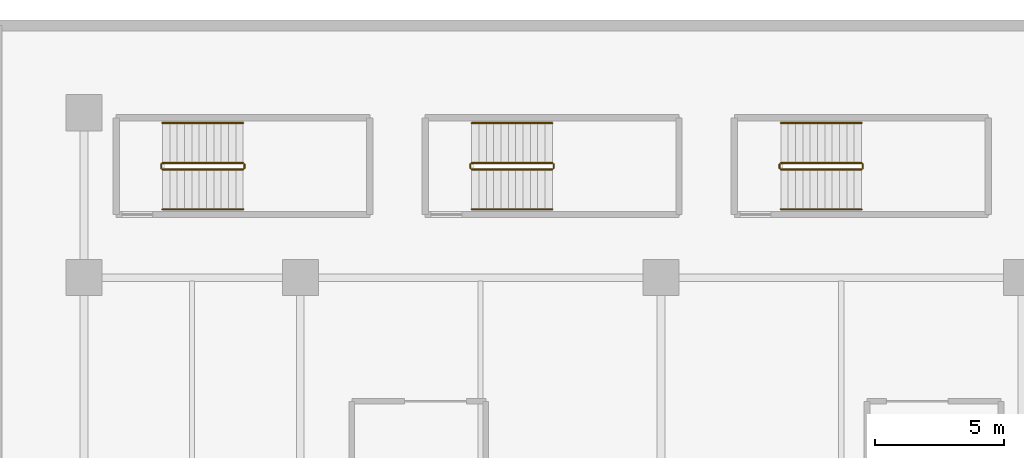
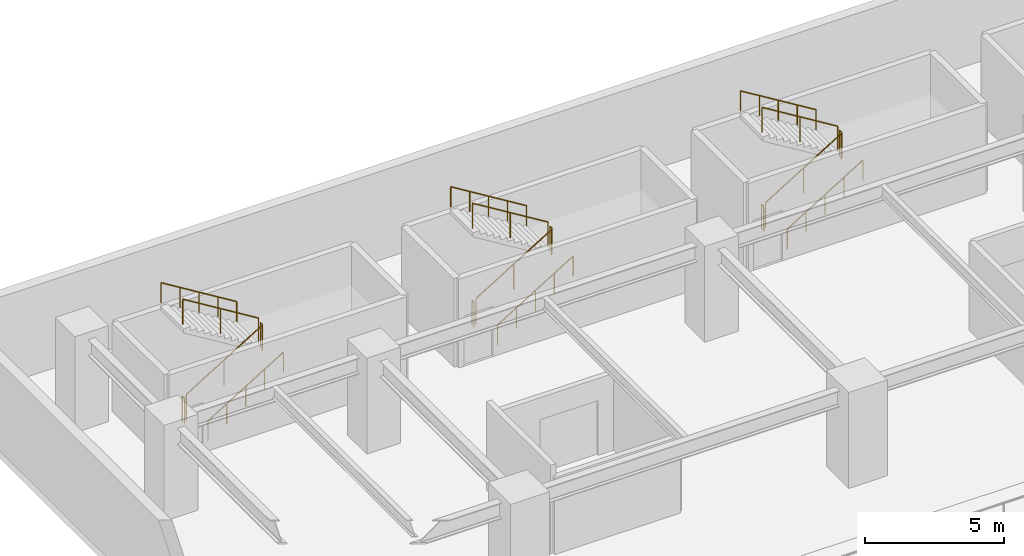
# One storey, part 21 of 22: 18 railings.
"""IFC4 building model written with IfcOpenShell, lengths in metres."""

from ifc_helpers import new_model, si_unit, direction, frame, origin, origin_2d, place, context, subcontext, project, spatial, circle, extrude, material, type_object, element, save


model = new_model("IFC4")

# Units and contexts
model_context = context("Model", 3, precision=1e-05, world=origin(), true_north=direction((0.0, 1.0)))
body_context = subcontext(model_context, "Body", "Model", "MODEL_VIEW")
ifc_project = project(units=[si_unit("LENGTHUNIT", "METRE"), si_unit("AREAUNIT", "SQUARE_METRE"), si_unit("VOLUMEUNIT", "CUBIC_METRE"), si_unit("PLANEANGLEUNIT", "RADIAN"), si_unit("MASSUNIT", "GRAM", prefix="KILO")], contexts=[model_context])

# Site, building, storey
site_placement = place(None, origin())
site = spatial("IfcSite", under=ifc_project, at=site_placement, CompositionType="ELEMENT")
building_placement = place(site_placement, origin())
building = spatial("IfcBuilding", under=site, at=building_placement, Name="Narakoshi Arena Tower", CompositionType="ELEMENT")
storey_placement = place(building_placement, frame((0.0, 0.0, 13.199951171875)))
storey = spatial("IfcBuildingStorey", under=building, at=storey_placement, Name="L03", CompositionType="ELEMENT", Elevation=13.199951171875)

# Railings
ifc_material_1 = material(Name="Clear low-iron laminated structural glass", Category="glass")
railing_type_1 = type_object("IfcRailingType", Name="RL-BAL-1100", PredefinedType="BALUSTRADE", material=ifc_material_1)
railing_1_placement = place(storey_placement, frame((6.64990234375, 90.199951171875, 0.175048828125)))
element("IfcRailing", 1, at=railing_1_placement, inside=storey, type_object=railing_type_1, Name="L03 AST5 stair guard 1", PredefinedType="BALUSTRADE", context=body_context, shape_type="SweptSolid", body=[
    extrude(circle(Radius=0.02392578125, at=origin_2d()), frame((0.0, 0.0, 1.09619140625), z_axis=(0.852166034122, 0.0, 0.523271488128), x_axis=(0.0, 1.0, 0.0)), (0.0, 0.0, 1.0), 3.678955078125),
    extrude(circle(Radius=0.02099609375, at=origin_2d()), origin(), (0.0, 0.0, 1.0), 1.072021484375),
    extrude(circle(Radius=0.02099609375, at=origin_2d()), frame((1.5673828125, 0.0, 0.96240234375)), (0.0, 0.0, 1.0), 1.072021484375),
    extrude(circle(Radius=0.02099609375, at=origin_2d()), frame((3.135009765625, 0.0, 1.925048828125)), (0.0, 0.0, 1.0), 1.072021484375),
])
railing_2_placement = place(storey_placement, frame((9.8349609375, 90.25, 2.10009765625)))
element("IfcRailing", 2, at=railing_2_placement, inside=storey, type_object=railing_type_1, Name="L03 AST5 stair guard 2", PredefinedType="BALUSTRADE", context=body_context, shape_type="SweptSolid", body=[
    extrude(circle(Radius=0.02392578125, at=origin_2d()), frame((0.0, 0.0, 1.09619140625), z_axis=(0.0, 1.0, 0.0), x_axis=(-1.0, 0.0, 0.0)), (0.0, 0.0, 1.0), 0.14990234375),
    extrude(circle(Radius=0.02099609375, at=origin_2d()), origin(), (0.0, 0.0, 1.0), 1.072021484375),
    extrude(circle(Radius=0.02099609375, at=origin_2d()), frame((0.0, 0.14990234375, 0.0)), (0.0, 0.0, 1.0), 1.072021484375),
])
railing_3_placement = place(storey_placement, frame((9.784912109375, 90.449951171875, 2.275146484375)))
element("IfcRailing", 3, at=railing_3_placement, inside=storey, type_object=railing_type_1, Name="L03 AST5 stair guard 3", PredefinedType="BALUSTRADE", context=body_context, shape_type="SweptSolid", body=[
    extrude(circle(Radius=0.02392578125, at=origin_2d()), frame((0.0, 0.0, 1.09619140625), z_axis=(-0.852195625947, 0.0, 0.523223293744), x_axis=(0.0, -1.0, 0.0)), (0.0, 0.0, 1.0), 3.6787109375),
    extrude(circle(Radius=0.02099609375, at=origin_2d()), origin(), (0.0, 0.0, 1.0), 1.072021484375),
    extrude(circle(Radius=0.02099609375, at=origin_2d()), frame((-1.5673828125, 0.0, 0.96240234375)), (0.0, 0.0, 1.0), 1.072021484375),
    extrude(circle(Radius=0.02099609375, at=origin_2d()), frame((-3.135009765625, 0.0, 1.9248046875)), (0.0, 0.0, 1.0), 1.072021484375),
])
railing_4_placement = place(storey_placement, frame((6.60009765625, 90.25, 0.0)))
element("IfcRailing", 4, at=railing_4_placement, inside=storey, type_object=railing_type_1, Name="L03 AST5 stair guard 4", PredefinedType="BALUSTRADE", context=body_context, shape_type="SweptSolid", body=[
    extrude(circle(Radius=0.02392578125, at=origin_2d()), frame((0.0, 0.0, 1.09619140625), z_axis=(0.0, 1.0, 0.0), x_axis=(-1.0, 0.0, 0.0)), (0.0, 0.0, 1.0), 0.14990234375),
    extrude(circle(Radius=0.02099609375, at=origin_2d()), origin(), (0.0, 0.0, 1.0), 1.072021484375),
    extrude(circle(Radius=0.02099609375, at=origin_2d()), frame((0.0, 0.14990234375, 0.0)), (0.0, 0.0, 1.0), 1.072021484375),
])
railing_5_placement = place(storey_placement, frame((18.64990234375, 90.199951171875, 0.175048828125)))
element("IfcRailing", 5, at=railing_5_placement, inside=storey, type_object=railing_type_1, Name="L03 AST6 stair guard 1", PredefinedType="BALUSTRADE", context=body_context, shape_type="SweptSolid", body=[
    extrude(circle(Radius=0.02392578125, at=origin_2d()), frame((0.0, 0.0, 1.09619140625), z_axis=(0.852166034122, 0.0, 0.523271488128), x_axis=(0.0, 1.0, 0.0)), (0.0, 0.0, 1.0), 3.678955078125),
    extrude(circle(Radius=0.02099609375, at=origin_2d()), origin(), (0.0, 0.0, 1.0), 1.072021484375),
    extrude(circle(Radius=0.02099609375, at=origin_2d()), frame((1.5673828125, 0.0, 0.96240234375)), (0.0, 0.0, 1.0), 1.072021484375),
    extrude(circle(Radius=0.02099609375, at=origin_2d()), frame((3.135009765625, 0.0, 1.925048828125)), (0.0, 0.0, 1.0), 1.072021484375),
])
railing_6_placement = place(storey_placement, frame((21.8349609375, 90.25, 2.10009765625)))
element("IfcRailing", 6, at=railing_6_placement, inside=storey, type_object=railing_type_1, Name="L03 AST6 stair guard 2", PredefinedType="BALUSTRADE", context=body_context, shape_type="SweptSolid", body=[
    extrude(circle(Radius=0.02392578125, at=origin_2d()), frame((0.0, 0.0, 1.09619140625), z_axis=(0.0, 1.0, 0.0), x_axis=(-1.0, 0.0, 0.0)), (0.0, 0.0, 1.0), 0.14990234375),
    extrude(circle(Radius=0.02099609375, at=origin_2d()), origin(), (0.0, 0.0, 1.0), 1.072021484375),
    extrude(circle(Radius=0.02099609375, at=origin_2d()), frame((0.0, 0.14990234375, 0.0)), (0.0, 0.0, 1.0), 1.072021484375),
])
railing_7_placement = place(storey_placement, frame((21.784912109375, 90.449951171875, 2.275146484375)))
element("IfcRailing", 7, at=railing_7_placement, inside=storey, type_object=railing_type_1, Name="L03 AST6 stair guard 3", PredefinedType="BALUSTRADE", context=body_context, shape_type="SweptSolid", body=[
    extrude(circle(Radius=0.02392578125, at=origin_2d()), frame((0.0, 0.0, 1.09619140625), z_axis=(-0.852195625947, 0.0, 0.523223293744), x_axis=(0.0, -1.0, 0.0)), (0.0, 0.0, 1.0), 3.6787109375),
    extrude(circle(Radius=0.02099609375, at=origin_2d()), origin(), (0.0, 0.0, 1.0), 1.072021484375),
    extrude(circle(Radius=0.02099609375, at=origin_2d()), frame((-1.5673828125, 0.0, 0.96240234375)), (0.0, 0.0, 1.0), 1.072021484375),
    extrude(circle(Radius=0.02099609375, at=origin_2d()), frame((-3.135009765625, 0.0, 1.9248046875)), (0.0, 0.0, 1.0), 1.072021484375),
])
railing_8_placement = place(storey_placement, frame((18.60009765625, 90.25, 0.0)))
element("IfcRailing", 8, at=railing_8_placement, inside=storey, type_object=railing_type_1, Name="L03 AST6 stair guard 4", PredefinedType="BALUSTRADE", context=body_context, shape_type="SweptSolid", body=[
    extrude(circle(Radius=0.02392578125, at=origin_2d()), frame((0.0, 0.0, 1.09619140625), z_axis=(0.0, 1.0, 0.0), x_axis=(-1.0, 0.0, 0.0)), (0.0, 0.0, 1.0), 0.14990234375),
    extrude(circle(Radius=0.02099609375, at=origin_2d()), origin(), (0.0, 0.0, 1.0), 1.072021484375),
    extrude(circle(Radius=0.02099609375, at=origin_2d()), frame((0.0, 0.14990234375, 0.0)), (0.0, 0.0, 1.0), 1.072021484375),
])
railing_9_placement = place(storey_placement, frame((30.64990234375, 90.199951171875, 0.175048828125)))
element("IfcRailing", 9, at=railing_9_placement, inside=storey, type_object=railing_type_1, Name="L03 AST7 stair guard 1", PredefinedType="BALUSTRADE", context=body_context, shape_type="SweptSolid", body=[
    extrude(circle(Radius=0.02392578125, at=origin_2d()), frame((0.0, 0.0, 1.09619140625), z_axis=(0.852166034122, 0.0, 0.523271488128), x_axis=(0.0, 1.0, 0.0)), (0.0, 0.0, 1.0), 3.678955078125),
    extrude(circle(Radius=0.02099609375, at=origin_2d()), origin(), (0.0, 0.0, 1.0), 1.072021484375),
    extrude(circle(Radius=0.02099609375, at=origin_2d()), frame((1.5673828125, 0.0, 0.96240234375)), (0.0, 0.0, 1.0), 1.072021484375),
    extrude(circle(Radius=0.02099609375, at=origin_2d()), frame((3.135009765625, 0.0, 1.925048828125)), (0.0, 0.0, 1.0), 1.072021484375),
])
railing_10_placement = place(storey_placement, frame((33.8349609375, 90.25, 2.10009765625)))
element("IfcRailing", 10, at=railing_10_placement, inside=storey, type_object=railing_type_1, Name="L03 AST7 stair guard 2", PredefinedType="BALUSTRADE", context=body_context, shape_type="SweptSolid", body=[
    extrude(circle(Radius=0.02392578125, at=origin_2d()), frame((0.0, 0.0, 1.09619140625), z_axis=(0.0, 1.0, 0.0), x_axis=(-1.0, 0.0, 0.0)), (0.0, 0.0, 1.0), 0.14990234375),
    extrude(circle(Radius=0.02099609375, at=origin_2d()), origin(), (0.0, 0.0, 1.0), 1.072021484375),
    extrude(circle(Radius=0.02099609375, at=origin_2d()), frame((0.0, 0.14990234375, 0.0)), (0.0, 0.0, 1.0), 1.072021484375),
])
railing_11_placement = place(storey_placement, frame((33.784912109375, 90.449951171875, 2.275146484375)))
element("IfcRailing", 11, at=railing_11_placement, inside=storey, type_object=railing_type_1, Name="L03 AST7 stair guard 3", PredefinedType="BALUSTRADE", context=body_context, shape_type="SweptSolid", body=[
    extrude(circle(Radius=0.02392578125, at=origin_2d()), frame((0.0, 0.0, 1.09619140625), z_axis=(-0.852195625947, 0.0, 0.523223293744), x_axis=(0.0, -1.0, 0.0)), (0.0, 0.0, 1.0), 3.6787109375),
    extrude(circle(Radius=0.02099609375, at=origin_2d()), origin(), (0.0, 0.0, 1.0), 1.072021484375),
    extrude(circle(Radius=0.02099609375, at=origin_2d()), frame((-1.5673828125, 0.0, 0.96240234375)), (0.0, 0.0, 1.0), 1.072021484375),
    extrude(circle(Radius=0.02099609375, at=origin_2d()), frame((-3.135009765625, 0.0, 1.9248046875)), (0.0, 0.0, 1.0), 1.072021484375),
])
railing_12_placement = place(storey_placement, frame((30.60009765625, 90.25, 0.0)))
element("IfcRailing", 12, at=railing_12_placement, inside=storey, type_object=railing_type_1, Name="L03 AST7 stair guard 4", PredefinedType="BALUSTRADE", context=body_context, shape_type="SweptSolid", body=[
    extrude(circle(Radius=0.02392578125, at=origin_2d()), frame((0.0, 0.0, 1.09619140625), z_axis=(0.0, 1.0, 0.0), x_axis=(-1.0, 0.0, 0.0)), (0.0, 0.0, 1.0), 0.14990234375),
    extrude(circle(Radius=0.02099609375, at=origin_2d()), origin(), (0.0, 0.0, 1.0), 1.072021484375),
    extrude(circle(Radius=0.02099609375, at=origin_2d()), frame((0.0, 0.14990234375, 0.0)), (0.0, 0.0, 1.0), 1.072021484375),
])
ifc_material_2 = material(Name="Brushed bronze stainless steel", Category="steel")
railing_type_2 = type_object("IfcRailingType", Name="RL-HND-900", PredefinedType="HANDRAIL", material=ifc_material_2)
railing_13_placement = place(storey_placement, frame((6.64990234375, 88.64990234375, 0.175048828125)))
element("IfcRailing", 13, at=railing_13_placement, inside=storey, type_object=railing_type_2, Name="L03 AST5 stair handrail 1", PredefinedType="HANDRAIL", context=body_context, shape_type="SweptSolid", body=[
    extrude(circle(Radius=0.02392578125, at=origin_2d()), frame((0.0, 0.0, 0.8759765625), z_axis=(0.852166034122, 0.0, 0.523271488128), x_axis=(0.0, 1.0, 0.0)), (0.0, 0.0, 1.0), 3.678955078125),
    extrude(circle(Radius=0.02099609375, at=origin_2d()), origin(), (0.0, 0.0, 1.0), 0.851806640625),
    extrude(circle(Radius=0.02099609375, at=origin_2d()), frame((0.78369140625, 0.0, 0.481201171875)), (0.0, 0.0, 1.0), 0.851806640625),
    extrude(circle(Radius=0.02099609375, at=origin_2d()), frame((1.5673828125, 0.0, 0.96240234375)), (0.0, 0.0, 1.0), 0.851806640625),
    extrude(circle(Radius=0.02099609375, at=origin_2d()), frame((2.351318359375, 0.0, 1.44384765625)), (0.0, 0.0, 1.0), 0.851806640625),
    extrude(circle(Radius=0.02099609375, at=origin_2d()), frame((3.135009765625, 0.0, 1.925048828125)), (0.0, 0.0, 1.0), 0.851806640625),
])
railing_14_placement = place(storey_placement, frame((9.784912109375, 92.0, 2.275146484375)))
element("IfcRailing", 14, at=railing_14_placement, inside=storey, type_object=railing_type_2, Name="L03 AST5 stair handrail 2", PredefinedType="HANDRAIL", context=body_context, shape_type="SweptSolid", body=[
    extrude(circle(Radius=0.02392578125, at=origin_2d()), frame((0.0, 0.0, 0.8759765625), z_axis=(-0.852195625947, 0.0, 0.523223293744), x_axis=(0.0, -1.0, 0.0)), (0.0, 0.0, 1.0), 3.6787109375),
    extrude(circle(Radius=0.02099609375, at=origin_2d()), origin(), (0.0, 0.0, 1.0), 0.851806640625),
    extrude(circle(Radius=0.02099609375, at=origin_2d()), frame((-0.78369140625, 0.0, 0.481201171875)), (0.0, 0.0, 1.0), 0.851806640625),
    extrude(circle(Radius=0.02099609375, at=origin_2d()), frame((-1.5673828125, 0.0, 0.96240234375)), (0.0, 0.0, 1.0), 0.851806640625),
    extrude(circle(Radius=0.02099609375, at=origin_2d()), frame((-2.351318359375, 0.0, 1.443603515625)), (0.0, 0.0, 1.0), 0.851806640625),
    extrude(circle(Radius=0.02099609375, at=origin_2d()), frame((-3.135009765625, 0.0, 1.9248046875)), (0.0, 0.0, 1.0), 0.851806640625),
])
railing_15_placement = place(storey_placement, frame((18.64990234375, 88.64990234375, 0.175048828125)))
element("IfcRailing", 15, at=railing_15_placement, inside=storey, type_object=railing_type_2, Name="L03 AST6 stair handrail 1", PredefinedType="HANDRAIL", context=body_context, shape_type="SweptSolid", body=[
    extrude(circle(Radius=0.02392578125, at=origin_2d()), frame((0.0, 0.0, 0.8759765625), z_axis=(0.852166034122, 0.0, 0.523271488128), x_axis=(0.0, 1.0, 0.0)), (0.0, 0.0, 1.0), 3.678955078125),
    extrude(circle(Radius=0.02099609375, at=origin_2d()), origin(), (0.0, 0.0, 1.0), 0.851806640625),
    extrude(circle(Radius=0.02099609375, at=origin_2d()), frame((0.78369140625, 0.0, 0.481201171875)), (0.0, 0.0, 1.0), 0.851806640625),
    extrude(circle(Radius=0.02099609375, at=origin_2d()), frame((1.5673828125, 0.0, 0.96240234375)), (0.0, 0.0, 1.0), 0.851806640625),
    extrude(circle(Radius=0.02099609375, at=origin_2d()), frame((2.351318359375, 0.0, 1.44384765625)), (0.0, 0.0, 1.0), 0.851806640625),
    extrude(circle(Radius=0.02099609375, at=origin_2d()), frame((3.135009765625, 0.0, 1.925048828125)), (0.0, 0.0, 1.0), 0.851806640625),
])
railing_16_placement = place(storey_placement, frame((21.784912109375, 92.0, 2.275146484375)))
element("IfcRailing", 16, at=railing_16_placement, inside=storey, type_object=railing_type_2, Name="L03 AST6 stair handrail 2", PredefinedType="HANDRAIL", context=body_context, shape_type="SweptSolid", body=[
    extrude(circle(Radius=0.02392578125, at=origin_2d()), frame((0.0, 0.0, 0.8759765625), z_axis=(-0.852195625947, 0.0, 0.523223293744), x_axis=(0.0, -1.0, 0.0)), (0.0, 0.0, 1.0), 3.6787109375),
    extrude(circle(Radius=0.02099609375, at=origin_2d()), origin(), (0.0, 0.0, 1.0), 0.851806640625),
    extrude(circle(Radius=0.02099609375, at=origin_2d()), frame((-0.78369140625, 0.0, 0.481201171875)), (0.0, 0.0, 1.0), 0.851806640625),
    extrude(circle(Radius=0.02099609375, at=origin_2d()), frame((-1.5673828125, 0.0, 0.96240234375)), (0.0, 0.0, 1.0), 0.851806640625),
    extrude(circle(Radius=0.02099609375, at=origin_2d()), frame((-2.351318359375, 0.0, 1.443603515625)), (0.0, 0.0, 1.0), 0.851806640625),
    extrude(circle(Radius=0.02099609375, at=origin_2d()), frame((-3.135009765625, 0.0, 1.9248046875)), (0.0, 0.0, 1.0), 0.851806640625),
])
railing_17_placement = place(storey_placement, frame((30.64990234375, 88.64990234375, 0.175048828125)))
element("IfcRailing", 17, at=railing_17_placement, inside=storey, type_object=railing_type_2, Name="L03 AST7 stair handrail 1", PredefinedType="HANDRAIL", context=body_context, shape_type="SweptSolid", body=[
    extrude(circle(Radius=0.02392578125, at=origin_2d()), frame((0.0, 0.0, 0.8759765625), z_axis=(0.852166034122, 0.0, 0.523271488128), x_axis=(0.0, 1.0, 0.0)), (0.0, 0.0, 1.0), 3.678955078125),
    extrude(circle(Radius=0.02099609375, at=origin_2d()), origin(), (0.0, 0.0, 1.0), 0.851806640625),
    extrude(circle(Radius=0.02099609375, at=origin_2d()), frame((0.78369140625, 0.0, 0.481201171875)), (0.0, 0.0, 1.0), 0.851806640625),
    extrude(circle(Radius=0.02099609375, at=origin_2d()), frame((1.5673828125, 0.0, 0.96240234375)), (0.0, 0.0, 1.0), 0.851806640625),
    extrude(circle(Radius=0.02099609375, at=origin_2d()), frame((2.351318359375, 0.0, 1.44384765625)), (0.0, 0.0, 1.0), 0.851806640625),
    extrude(circle(Radius=0.02099609375, at=origin_2d()), frame((3.135009765625, 0.0, 1.925048828125)), (0.0, 0.0, 1.0), 0.851806640625),
])
railing_18_placement = place(storey_placement, frame((33.784912109375, 92.0, 2.275146484375)))
element("IfcRailing", 18, at=railing_18_placement, inside=storey, type_object=railing_type_2, Name="L03 AST7 stair handrail 2", PredefinedType="HANDRAIL", context=body_context, shape_type="SweptSolid", body=[
    extrude(circle(Radius=0.02392578125, at=origin_2d()), frame((0.0, 0.0, 0.8759765625), z_axis=(-0.852195625947, 0.0, 0.523223293744), x_axis=(0.0, -1.0, 0.0)), (0.0, 0.0, 1.0), 3.6787109375),
    extrude(circle(Radius=0.02099609375, at=origin_2d()), origin(), (0.0, 0.0, 1.0), 0.851806640625),
    extrude(circle(Radius=0.02099609375, at=origin_2d()), frame((-0.78369140625, 0.0, 0.481201171875)), (0.0, 0.0, 1.0), 0.851806640625),
    extrude(circle(Radius=0.02099609375, at=origin_2d()), frame((-1.5673828125, 0.0, 0.96240234375)), (0.0, 0.0, 1.0), 0.851806640625),
    extrude(circle(Radius=0.02099609375, at=origin_2d()), frame((-2.351318359375, 0.0, 1.443603515625)), (0.0, 0.0, 1.0), 0.851806640625),
    extrude(circle(Radius=0.02099609375, at=origin_2d()), frame((-3.135009765625, 0.0, 1.9248046875)), (0.0, 0.0, 1.0), 0.851806640625),
])

save(model, "model.ifc")
